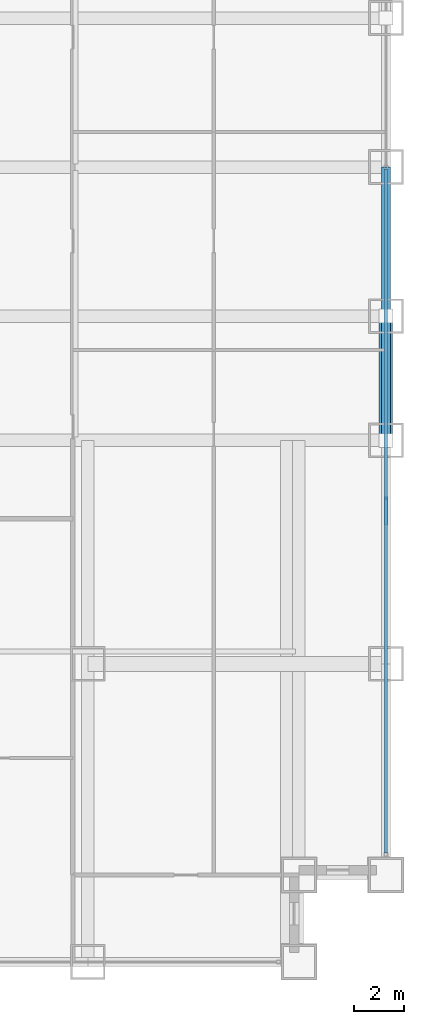
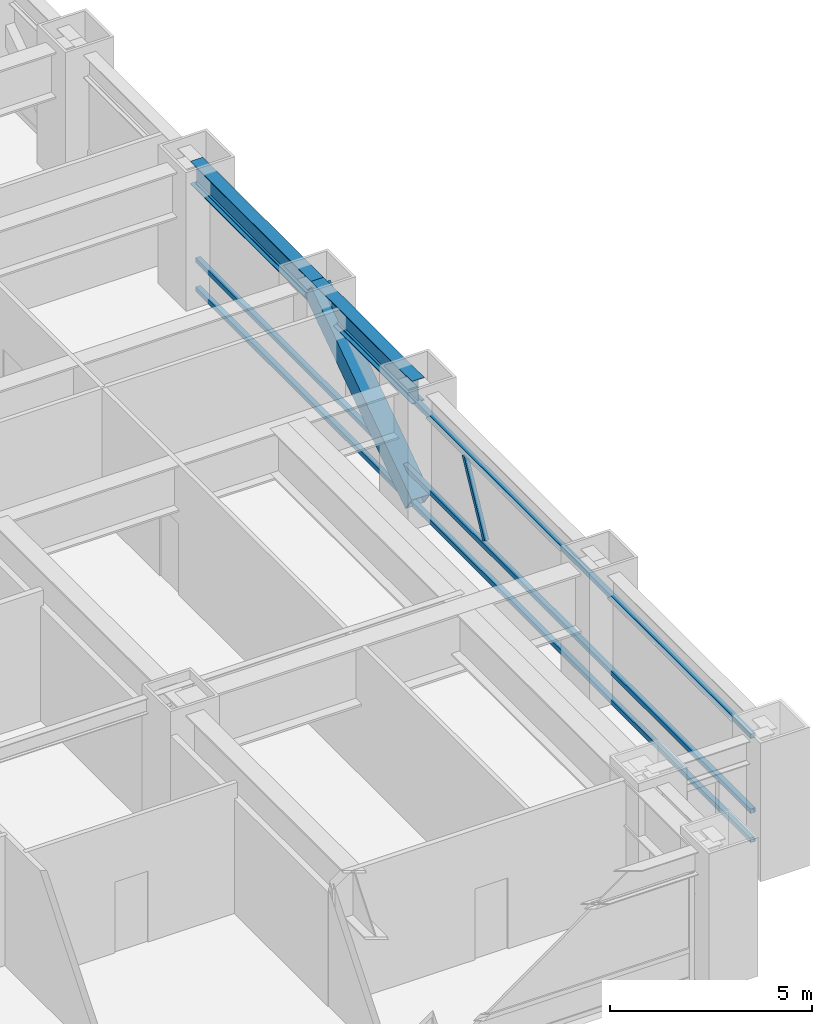
# One storey, part 13 of 29: 5 members, 2 beams, 1 element without a shape of its own.
"""IFC4 building model written with IfcOpenShell, lengths in metres."""

from ifc_helpers import new_model, si_unit, direction, frame, origin, origin_2d, place, context, subcontext, project, spatial, hollow_rectangle, i_section, extrude, source, transform, mapped, material, material_profile, profile_set, type_object, element, aggregate, save


model = new_model("IFC4")

# Units and contexts
model_context = context("Model", 3, precision=1e-05, world=origin(), true_north=direction((0.0, 1.0)))
body_context = subcontext(model_context, "Body", "Model", "MODEL_VIEW")
ifc_project = project(units=[si_unit("LENGTHUNIT", "METRE"), si_unit("AREAUNIT", "SQUARE_METRE"), si_unit("VOLUMEUNIT", "CUBIC_METRE"), si_unit("PLANEANGLEUNIT", "RADIAN"), si_unit("MASSUNIT", "GRAM", prefix="KILO")], contexts=[model_context])

# Site, building, storey
site_placement = place(None, origin())
site = spatial("IfcSite", under=ifc_project, at=site_placement, CompositionType="ELEMENT")
building_placement = place(site_placement, origin())
building = spatial("IfcBuilding", under=site, at=building_placement, Name="Khorayat Bourse Tower", CompositionType="ELEMENT")
storey_placement = place(building_placement, frame((0.0, 0.0, 87.199951171875)))
storey = spatial("IfcBuildingStorey", under=building, at=storey_placement, Name="L19", CompositionType="ELEMENT", Elevation=87.199951171875)

# Beams
ifc_material_1 = material(Name="Steel ASTM A992 Grade 50", Category="steel")
ifc_material_profile_1 = material_profile(ifc_material_1, i_section(OverallWidth=0.35498046875, OverallDepth=0.695068359375, WebThickness=0.015380859375, FlangeThickness=0.02490234375, FilletRadius=0.01806640625, at=origin_2d()), Name="W690X217")
ifc_profile_set_1 = profile_set([ifc_material_profile_1], Name="Steel ASTM A992 Grade 50")
beam_type = type_object("IfcBeamType", Name="BM-SPAN-690", PredefinedType="SPANDREL", material=ifc_profile_set_1)
shared_shape_1 = source(origin(), body_context, "Body", "SweptSolid", [
    extrude(i_section(OverallWidth=0.35498046875, OverallDepth=0.695068359375, WebThickness=0.015380859375, FlangeThickness=0.02490234375, FilletRadius=0.01806640625, at=origin_2d()), origin(), (0.0, 0.0, 1.0), 5.0),
])
beam_1_placement = place(storey_placement, frame((32.0, -11.0, 3.592529296875), z_axis=(0.0, 1.0, 0.0), x_axis=(-1.0, 0.0, 0.0)))
element("IfcBeam", 1, at=beam_1_placement, inside=storey, type_object=beam_type, Name="L19 BM-SPAN-690 BM-L19-SPN-036", PredefinedType="SPANDREL", context=body_context, shape_type="MappedRepresentation", body=[
    mapped(shared_shape_1, transform((0.0, 0.0, 0.0), scale=1.0)),
])
shared_shape_2 = source(origin(), body_context, "Body", "SweptSolid", [
    extrude(i_section(OverallWidth=0.35498046875, OverallDepth=0.695068359375, WebThickness=0.015380859375, FlangeThickness=0.02490234375, FilletRadius=0.01806640625, at=origin_2d()), origin(), (0.0, 0.0, 1.0), 6.0),
])
beam_2_placement = place(storey_placement, frame((32.0, -6.0, 3.592529296875), z_axis=(0.0, 1.0, 0.0), x_axis=(-1.0, 0.0, 0.0)))
element("IfcBeam", 2, at=beam_2_placement, inside=storey, type_object=beam_type, Name="L19 BM-SPAN-690 BM-L19-SPN-037", PredefinedType="SPANDREL", context=body_context, shape_type="MappedRepresentation", body=[
    mapped(shared_shape_2, transform((0.0, 0.0, 0.0), scale=1.0)),
])

# Member
ifc_material_2 = material(Name="Steel EN 10025-4 S460M", Category="steel")
ifc_material_profile_2 = material_profile(ifc_material_2, hollow_rectangle(XDim=0.550048828125, YDim=0.550048828125, WallThickness=0.031982421875, at=origin_2d()), Name="HSS 550x550x32")
ifc_profile_set_2 = profile_set([ifc_material_profile_2], Name="Steel EN 10025-4 S460M")
member_type_1 = type_object("IfcMemberType", Name="MBR-TUBE-550", PredefinedType="BRACE", material=ifc_profile_set_2)
shared_shape_3 = source(origin(), body_context, "Body", "SweptSolid", [
    extrude(hollow_rectangle(XDim=0.550048828125, YDim=0.550048828125, WallThickness=0.031982421875, at=origin_2d()), origin(), (0.0, 0.0, 1.0), 6.069091796875),
])
member_1_placement = place(storey_placement, frame((32.0, -11.0, 0.25), z_axis=(0.0, 0.823854080622, 0.566801952928), x_axis=(-1.0, 0.0, 0.0)))
element("IfcMember", 3, at=member_1_placement, inside=storey, type_object=member_type_1, Name="L19 Perimeter Tube Brace 07", PredefinedType="BRACE", context=body_context, shape_type="MappedRepresentation", body=[
    mapped(shared_shape_3, transform((0.0, 0.0, 0.0), scale=1.0)),
])

# Curtain wall, members
ifc_material_3 = material(Name="Aluminium EN AW-6063 T6", Category="aluminium")
curtain_wall_type = type_object("IfcCurtainWallType", Name="CW-SYS-02", PredefinedType="NOTDEFINED", material=ifc_material_3)
curtain_wall_placement = place(storey_placement, origin())
curtain_wall = element("IfcCurtainWall", 4, at=curtain_wall_placement, inside=storey, type_object=curtain_wall_type, Name="L19 Curtain Wall CW-L19-E1", PredefinedType="NOTDEFINED")
ifc_material_profile_3 = material_profile(ifc_material_3, hollow_rectangle(XDim=0.1201171875, YDim=0.1201171875, WallThickness=0.0048828125, at=origin_2d()), Name="ALU 120x120x5")
ifc_profile_set_3 = profile_set([ifc_material_profile_3], Name="Aluminium EN AW-6063 T6")
member_type_2 = type_object("IfcMemberType", Name="CWM-DIAG-120", PredefinedType="MULLION", material=ifc_profile_set_3)
shared_shape_4 = source(origin(), body_context, "Body", "SweptSolid", [
    extrude(hollow_rectangle(XDim=0.1201171875, YDim=0.1201171875, WallThickness=0.0048828125, at=origin_2d()), origin(), (0.0, 0.0, 1.0), 2.22607421875),
])
member_2_placement = place(storey_placement, frame((32.0, -14.3583984375, 1.10009765625), z_axis=(0.0, 0.465759992596, 0.884911085532), x_axis=(-1.0, 0.0, 0.0)))
member_2 = element("IfcMember", 5, at=member_2_placement, type_object=member_type_2, Name="CW-L19-E1 Faceted Diagonal Mullion 1", PredefinedType="MULLION", context=body_context, shape_type="MappedRepresentation", body=[
    mapped(shared_shape_4, transform((0.0, 0.0, 0.0), scale=1.0)),
])
ifc_material_profile_4 = material_profile(ifc_material_3, hollow_rectangle(XDim=0.139892578125, YDim=0.139892578125, WallThickness=0.006103515625, at=origin_2d()), Name="ALU 140x140x6")
ifc_profile_set_4 = profile_set([ifc_material_profile_4], Name="Aluminium EN AW-6063 T6")
member_type_3 = type_object("IfcMemberType", Name="CWT-HORZ-140", PredefinedType="USERDEFINED", material=ifc_profile_set_4)
shared_shape_5 = source(origin(), body_context, "Body", "SweptSolid", [
    extrude(hollow_rectangle(XDim=0.139892578125, YDim=0.139892578125, WallThickness=0.006103515625, at=origin_2d()), origin(), (0.0, 0.0, 1.0), 27.5400390625),
])
member_3_placement = place(storey_placement, frame((32.0, -27.610107421875, 0.070068359375), z_axis=(0.0, 1.0, 0.0), x_axis=(-1.0, 0.0, 0.0)))
member_3 = element("IfcMember", 6, at=member_3_placement, type_object=member_type_3, Name="CW-L19-E1 Horizontal Transom 1-1", ObjectType="TRANSOM", PredefinedType="USERDEFINED", context=body_context, shape_type="MappedRepresentation", body=[
    mapped(shared_shape_5, transform((0.0, 0.0, 0.0), scale=1.0)),
])
member_4_placement = place(storey_placement, frame((32.0, -27.610107421875, 0.949951171875), z_axis=(0.0, 1.0, 0.0), x_axis=(-1.0, 0.0, 0.0)))
member_4 = element("IfcMember", 7, at=member_4_placement, type_object=member_type_3, Name="CW-L19-E1 Horizontal Transom 1-2", ObjectType="TRANSOM", PredefinedType="USERDEFINED", context=body_context, shape_type="MappedRepresentation", body=[
    mapped(shared_shape_5, transform((0.0, 0.0, 0.0), scale=1.0)),
])
member_5_placement = place(storey_placement, frame((32.0, -27.610107421875, 3.219970703125), z_axis=(0.0, 1.0, 0.0), x_axis=(-1.0, 0.0, 0.0)))
member_5 = element("IfcMember", 8, at=member_5_placement, type_object=member_type_3, Name="CW-L19-E1 Horizontal Transom 1-3", ObjectType="TRANSOM", PredefinedType="USERDEFINED", context=body_context, shape_type="MappedRepresentation", body=[
    mapped(shared_shape_5, transform((0.0, 0.0, 0.0), scale=1.0)),
])
aggregate(curtain_wall, [member_3, member_4, member_5, member_2])

save(model, "model.ifc")
